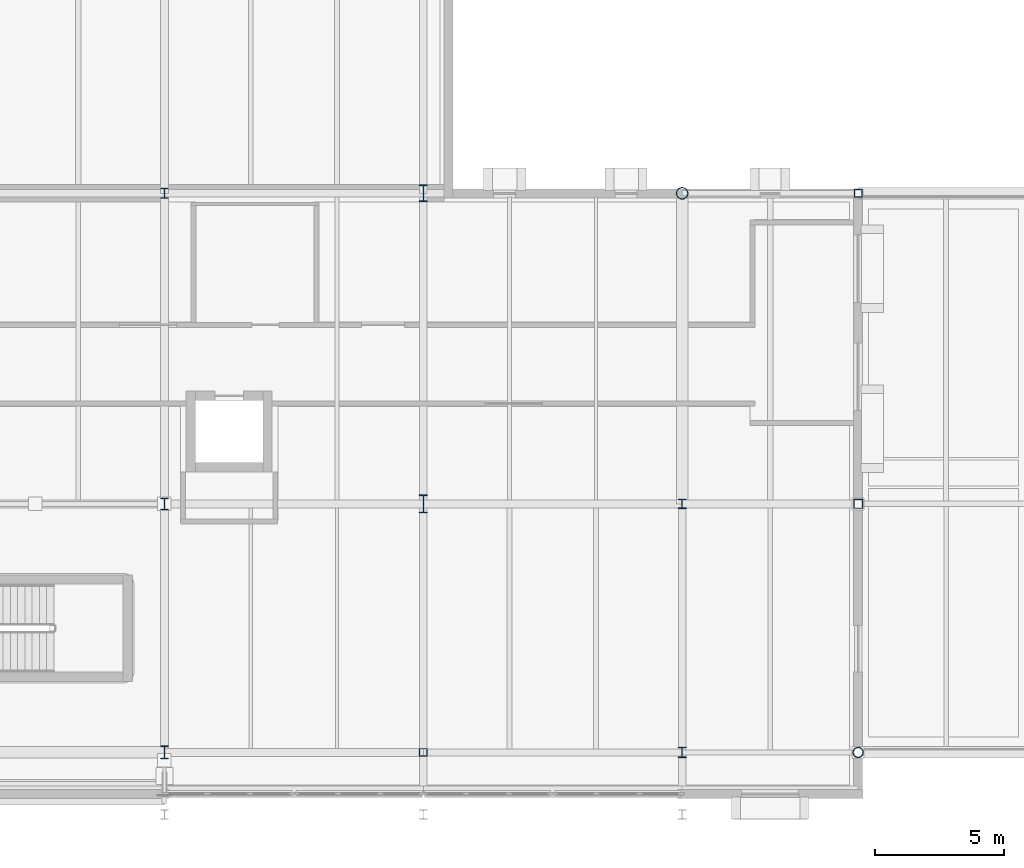
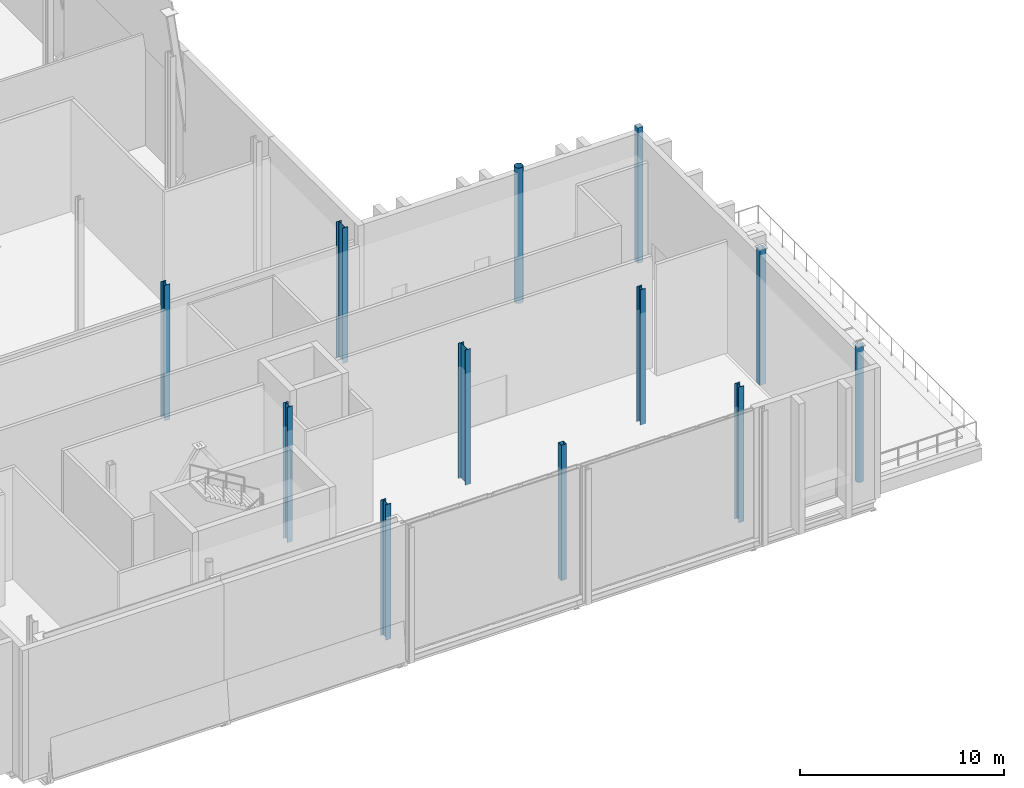
# One storey, part 12 of 79: 12 columns.
"""IFC4 building model written with IfcOpenShell, lengths in metres."""

from ifc_helpers import new_model, si_unit, direction, frame, origin, origin_2d, place, context, subcontext, project, spatial, hollow_rectangle, hollow_circle, i_section, extrude, material, material_profile, profile_set, type_object, element, save


model = new_model("IFC4")

# Units and contexts
model_context = context("Model", 3, precision=1e-05, world=origin(), true_north=direction((0.0, 1.0)))
body_context = subcontext(model_context, "Body", "Model", "MODEL_VIEW")
ifc_project = project(units=[si_unit("LENGTHUNIT", "METRE"), si_unit("AREAUNIT", "SQUARE_METRE"), si_unit("VOLUMEUNIT", "CUBIC_METRE"), si_unit("PLANEANGLEUNIT", "RADIAN"), si_unit("MASSUNIT", "GRAM", prefix="KILO")], contexts=[model_context])

# Site, building, storey
site_placement = place(None, origin())
site = spatial("IfcSite", under=ifc_project, at=site_placement, CompositionType="ELEMENT")
building_placement = place(site_placement, origin())
building = spatial("IfcBuilding", under=site, at=building_placement, Name="Zereglee Splitstone Museum", CompositionType="ELEMENT")
storey_placement = place(building_placement, frame((0.0, 0.0, 9.0)))
storey = spatial("IfcBuildingStorey", under=building, at=storey_placement, Name="L02", CompositionType="ELEMENT", Elevation=9.0)

# Columns
ifc_material_1 = material(Name="Steel S355J2H", Category="steel")
ifc_material_profile_1 = material_profile(ifc_material_1, hollow_circle(Radius=0.203125, WallThickness=0.02001953125, at=origin_2d()), Name="CHS 406.4x20")
ifc_profile_set_1 = profile_set([ifc_material_profile_1], Name="Steel S355J2H")
column_type_1 = type_object("IfcColumnType", Name="C-18", PredefinedType="COLUMN", material=ifc_profile_set_1)
column_1_placement = place(storey_placement, frame((222.0, 0.0, 0.0), z_axis=(0.0, 0.0, 1.0), x_axis=(1.0, 0.0, 0.0)))
element("IfcColumn", 1, at=column_1_placement, inside=storey, type_object=column_type_1, Name="Column 25/A L02", PredefinedType="COLUMN", context=body_context, shape_type="SweptSolid", body=[
    extrude(hollow_circle(Radius=0.203125, WallThickness=0.02001953125, at=origin_2d()), origin(), (0.0, 0.0, 1.0), 8.10009765625),
])
ifc_material_profile_2 = material_profile(ifc_material_1, hollow_circle(Radius=0.228515625, WallThickness=0.02001953125, at=origin_2d()), Name="CHS 457.0x20")
ifc_profile_set_2 = profile_set([ifc_material_profile_2], Name="Steel S355J2H")
column_type_2 = type_object("IfcColumnType", Name="C-17", PredefinedType="COLUMN", material=ifc_profile_set_2)
column_2_placement = place(storey_placement, frame((215.199951171875, 21.60009765625, 0.0), z_axis=(0.0, 0.0, 1.0), x_axis=(1.0, 0.0, 0.0)))
element("IfcColumn", 2, at=column_2_placement, inside=storey, type_object=column_type_2, Name="Column 24/C L02", PredefinedType="COLUMN", context=body_context, shape_type="SweptSolid", body=[
    extrude(hollow_circle(Radius=0.228515625, WallThickness=0.02001953125, at=origin_2d()), origin(), (0.0, 0.0, 1.0), 8.10009765625),
])
ifc_material_2 = material(Name="Steel S355J2", Category="steel")
ifc_material_profile_3 = material_profile(ifc_material_2, i_section(OverallWidth=0.300048828125, OverallDepth=0.360107421875, WebThickness=0.012451171875, FlangeThickness=0.0224609375, FilletRadius=0.027099609375, at=origin_2d()), Name="HE 360 B")
ifc_profile_set_3 = profile_set([ifc_material_profile_3], Name="Steel S355J2")
column_type_3 = type_object("IfcColumnType", Name="C-16", PredefinedType="COLUMN", material=ifc_profile_set_3)
column_3_placement = place(storey_placement, frame((215.199951171875, 9.60009765625, 0.0), z_axis=(0.0, 0.0, 1.0), x_axis=(1.0, 0.0, 0.0)))
element("IfcColumn", 3, at=column_3_placement, inside=storey, type_object=column_type_3, Name="Column 24/B L02", PredefinedType="COLUMN", context=body_context, shape_type="SweptSolid", body=[
    extrude(i_section(OverallWidth=0.300048828125, OverallDepth=0.360107421875, WebThickness=0.012451171875, FlangeThickness=0.0224609375, FilletRadius=0.027099609375, at=origin_2d()), origin(), (0.0, 0.0, 1.0), 8.10009765625),
])
ifc_material_profile_4 = material_profile(ifc_material_2, i_section(OverallWidth=0.300048828125, OverallDepth=0.39990234375, WebThickness=0.013427734375, FlangeThickness=0.02392578125, FilletRadius=0.027099609375, at=origin_2d()), Name="HE 400 B")
ifc_profile_set_4 = profile_set([ifc_material_profile_4], Name="Steel S355J2")
column_type_4 = type_object("IfcColumnType", Name="C-15", PredefinedType="COLUMN", material=ifc_profile_set_4)
for number, where, z_axis, x_axis, name in (
    (4, (195.199951171875, 21.60009765625, 0.0), (0.0, 0.0, 1.0), (1.0, 0.0, 0.0), "Column 22/C L02"),
    (5, (215.199951171875, 0.0, 0.0), (0.0, 0.0, 1.0), (1.0, 0.0, 0.0), "Column 24/A L02"),
):
    element("IfcColumn", number, at=place(storey_placement, frame(where, z_axis=z_axis, x_axis=x_axis)), inside=storey, type_object=column_type_4, Name=name, PredefinedType="COLUMN", context=body_context, shape_type="SweptSolid", body=[
        extrude(i_section(OverallWidth=0.300048828125, OverallDepth=0.39990234375, WebThickness=0.013427734375, FlangeThickness=0.02392578125, FilletRadius=0.027099609375, at=origin_2d()), origin(), (0.0, 0.0, 1.0), 8.10009765625),
    ])
ifc_material_profile_5 = material_profile(ifc_material_2, i_section(OverallWidth=0.300048828125, OverallDepth=0.449951171875, WebThickness=0.013916015625, FlangeThickness=0.02587890625, FilletRadius=0.027099609375, at=origin_2d()), Name="HE 450 B")
ifc_profile_set_5 = profile_set([ifc_material_profile_5], Name="Steel S355J2")
column_type_5 = type_object("IfcColumnType", Name="C-14", PredefinedType="COLUMN", material=ifc_profile_set_5)
column_4_placement = place(storey_placement, frame((195.199951171875, 9.60009765625, 0.0), z_axis=(0.0, 0.0, 1.0), x_axis=(1.0, 0.0, 0.0)))
element("IfcColumn", 6, at=column_4_placement, inside=storey, type_object=column_type_5, Name="Column 22/B L02", PredefinedType="COLUMN", context=body_context, shape_type="SweptSolid", body=[
    extrude(i_section(OverallWidth=0.300048828125, OverallDepth=0.449951171875, WebThickness=0.013916015625, FlangeThickness=0.02587890625, FilletRadius=0.027099609375, at=origin_2d()), origin(), (0.0, 0.0, 1.0), 8.10009765625),
])
ifc_material_profile_6 = material_profile(ifc_material_2, i_section(OverallWidth=0.300048828125, OverallDepth=0.5, WebThickness=0.014404296875, FlangeThickness=0.028076171875, FilletRadius=0.027099609375, at=origin_2d()), Name="HE 500 B")
ifc_profile_set_6 = profile_set([ifc_material_profile_6], Name="Steel S355J2")
column_type_6 = type_object("IfcColumnType", Name="C-13", PredefinedType="COLUMN", material=ifc_profile_set_6)
column_5_placement = place(storey_placement, frame((195.199951171875, 0.0, 0.0), z_axis=(0.0, 0.0, 1.0), x_axis=(1.0, 0.0, 0.0)))
element("IfcColumn", 7, at=column_5_placement, inside=storey, type_object=column_type_6, Name="Column 22/A L02", PredefinedType="COLUMN", context=body_context, shape_type="SweptSolid", body=[
    extrude(i_section(OverallWidth=0.300048828125, OverallDepth=0.5, WebThickness=0.014404296875, FlangeThickness=0.028076171875, FilletRadius=0.027099609375, at=origin_2d()), origin(), (0.0, 0.0, 1.0), 8.10009765625),
])
ifc_material_profile_7 = material_profile(ifc_material_2, i_section(OverallWidth=0.300048828125, OverallDepth=0.64990234375, WebThickness=0.01611328125, FlangeThickness=0.031005859375, FilletRadius=0.027099609375, at=origin_2d()), Name="HE 650 B")
ifc_profile_set_7 = profile_set([ifc_material_profile_7], Name="Steel S355J2")
column_type_7 = type_object("IfcColumnType", Name="C-10", PredefinedType="COLUMN", material=ifc_profile_set_7)
column_6_placement = place(storey_placement, frame((205.199951171875, 21.60009765625, 0.0), z_axis=(0.0, 0.0, 1.0), x_axis=(1.0, 0.0, 0.0)))
element("IfcColumn", 8, at=column_6_placement, inside=storey, type_object=column_type_7, Name="Column 23/C L02", PredefinedType="COLUMN", context=body_context, shape_type="SweptSolid", body=[
    extrude(i_section(OverallWidth=0.300048828125, OverallDepth=0.64990234375, WebThickness=0.01611328125, FlangeThickness=0.031005859375, FilletRadius=0.027099609375, at=origin_2d()), origin(), (0.0, 0.0, 1.0), 8.10009765625),
])
ifc_material_profile_8 = material_profile(ifc_material_2, i_section(OverallWidth=0.300048828125, OverallDepth=0.699951171875, WebThickness=0.01708984375, FlangeThickness=0.031982421875, FilletRadius=0.027099609375, at=origin_2d()), Name="HE 700 B")
ifc_profile_set_8 = profile_set([ifc_material_profile_8], Name="Steel S355J2")
column_type_8 = type_object("IfcColumnType", Name="C-09", PredefinedType="COLUMN", material=ifc_profile_set_8)
column_7_placement = place(storey_placement, frame((205.199951171875, 9.60009765625, 0.0), z_axis=(0.0, 0.0, 1.0), x_axis=(1.0, 0.0, 0.0)))
element("IfcColumn", 9, at=column_7_placement, inside=storey, type_object=column_type_8, Name="Column 23/B L02", PredefinedType="COLUMN", context=body_context, shape_type="SweptSolid", body=[
    extrude(i_section(OverallWidth=0.300048828125, OverallDepth=0.699951171875, WebThickness=0.01708984375, FlangeThickness=0.031982421875, FilletRadius=0.027099609375, at=origin_2d()), origin(), (0.0, 0.0, 1.0), 8.10009765625),
])
ifc_material_profile_9 = material_profile(ifc_material_1, hollow_rectangle(XDim=0.300048828125, YDim=0.300048828125, WallThickness=0.01611328125, at=origin_2d()), Name="SHS 300x300x16")
ifc_profile_set_9 = profile_set([ifc_material_profile_9], Name="Steel S355J2H")
column_type_9 = type_object("IfcColumnType", Name="C-20", PredefinedType="COLUMN", material=ifc_profile_set_9)
for number, where, z_axis, x_axis, name in (
    (10, (205.199951171875, 0.0, 0.0), (0.0, 0.0, 1.0), (1.0, 0.0, 0.0), "Column 23/A L02"),
    (11, (222.0, 21.60009765625, 0.0), (0.0, 0.0, 1.0), (1.0, 0.0, 0.0), "Column 25/C L02"),
):
    element("IfcColumn", number, at=place(storey_placement, frame(where, z_axis=z_axis, x_axis=x_axis)), inside=storey, type_object=column_type_9, Name=name, PredefinedType="COLUMN", context=body_context, shape_type="SweptSolid", body=[
        extrude(hollow_rectangle(XDim=0.300048828125, YDim=0.300048828125, WallThickness=0.01611328125, at=origin_2d()), origin(), (0.0, 0.0, 1.0), 8.10009765625),
    ])
ifc_material_profile_10 = material_profile(ifc_material_1, hollow_rectangle(XDim=0.35009765625, YDim=0.35009765625, WallThickness=0.01611328125, at=origin_2d()), Name="SHS 350x350x16")
ifc_profile_set_10 = profile_set([ifc_material_profile_10], Name="Steel S355J2H")
column_type_10 = type_object("IfcColumnType", Name="C-19", PredefinedType="COLUMN", material=ifc_profile_set_10)
column_8_placement = place(storey_placement, frame((222.0, 9.60009765625, 0.0), z_axis=(0.0, 0.0, 1.0), x_axis=(1.0, 0.0, 0.0)))
element("IfcColumn", 12, at=column_8_placement, inside=storey, type_object=column_type_10, Name="Column 25/B L02", PredefinedType="COLUMN", context=body_context, shape_type="SweptSolid", body=[
    extrude(hollow_rectangle(XDim=0.35009765625, YDim=0.35009765625, WallThickness=0.01611328125, at=origin_2d()), origin(), (0.0, 0.0, 1.0), 8.10009765625),
])

save(model, "model.ifc")
